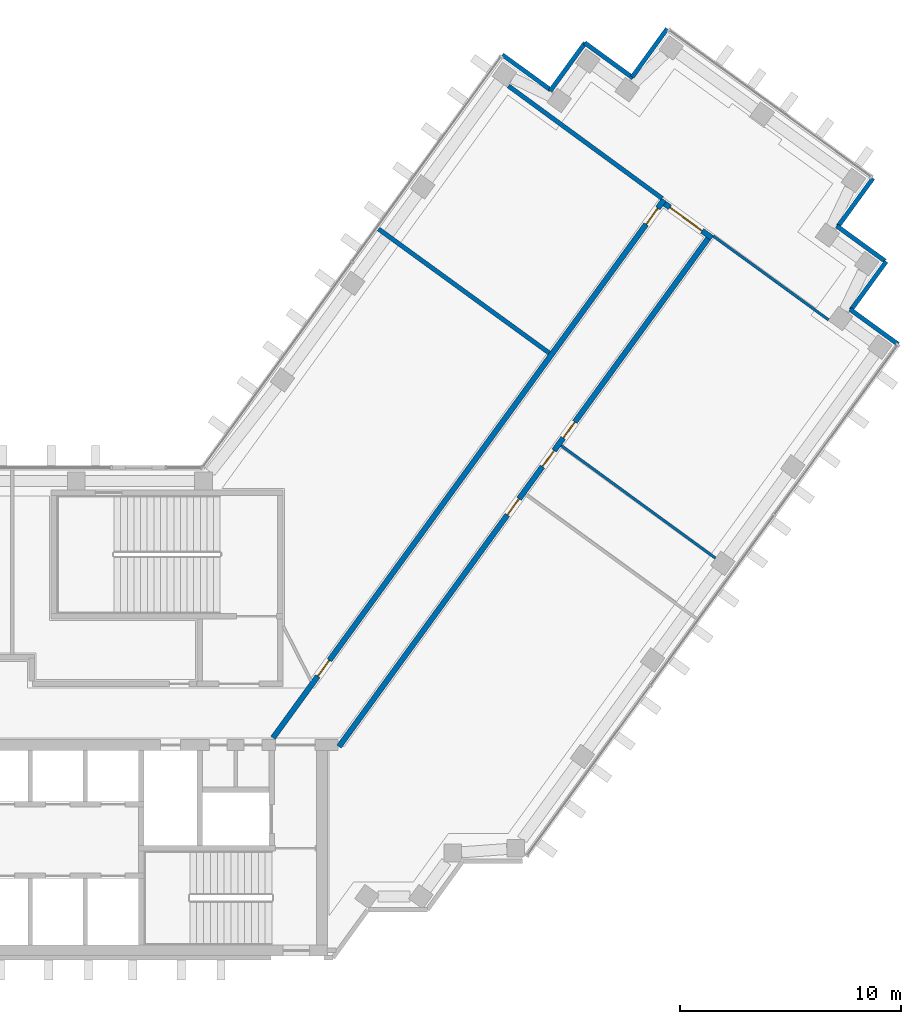
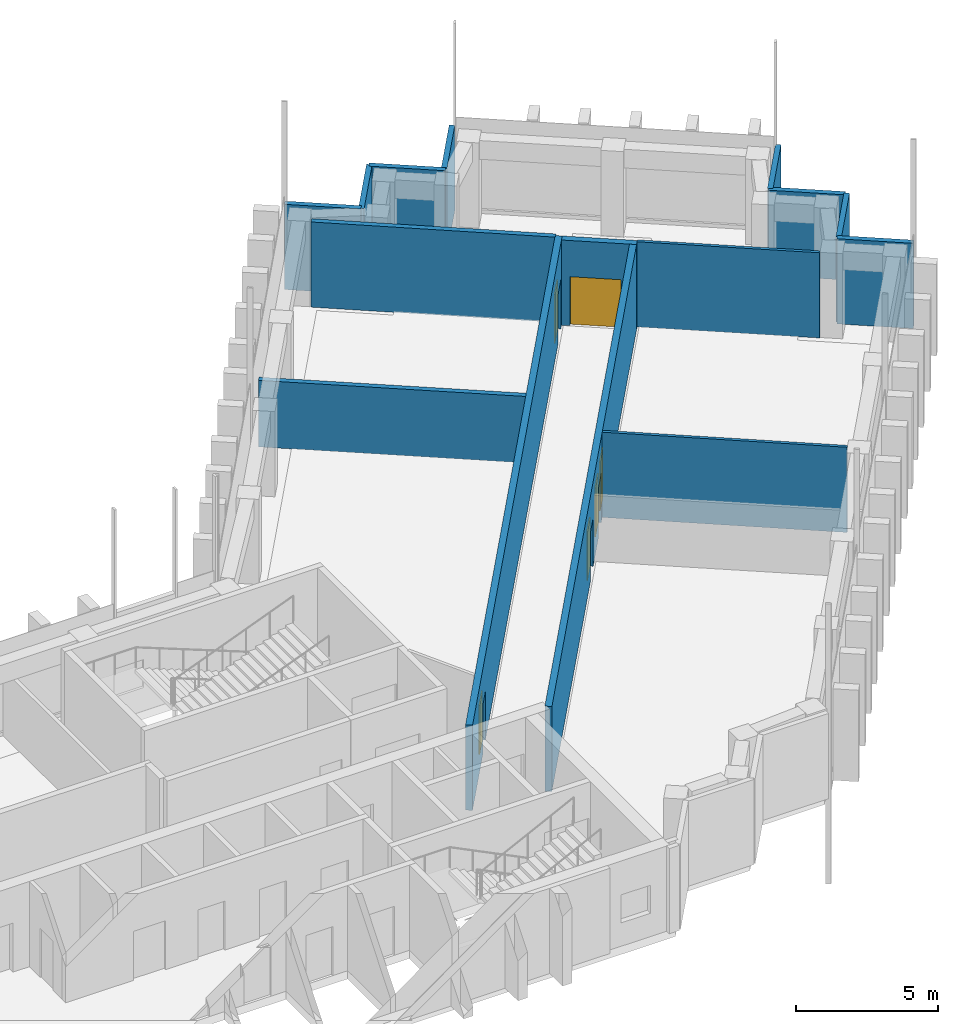
# One storey, part 12 of 15: 15 walls, 6 doors, 6 openings.
"""IFC4 building model written with IfcOpenShell, lengths in metres."""

import ifcopenshell
import ifcopenshell.guid

model = None  # the IFC model being written
_history = None  # IfcOwnerHistory: only IFC2X3 demands one
_inside = {}  # id of a spatial element -> (the spatial element, [elements in it])
_under = {}  # id of a project, library or spatial element -> (it, [spatial elements below it])
_declared = {}  # id of a project -> (the project, [libraries it declares])
_typed = {}  # id of a type object -> (the type object, [elements of that type])
_made_of = {}  # id of a material, layer set ... -> (it, [elements and type objects made of it])


def new_model(schema):
    """Start an empty IFC model of exactly this schema.

    Asked for "IFC4X3", IfcOpenShell would pick the latest addendum, in which some entities
    have other attributes; the version numbers below select the first issue.
    IFC2X3 requires an IfcOwnerHistory on every rooted entity: one is made here for all.
    """
    global model, _history
    if schema == "IFC4X3":
        model = ifcopenshell.file(schema_version=(4, 3, 0, 0))
    else:
        model = ifcopenshell.file(schema=schema)
    _inside.clear()
    _under.clear()
    _declared.clear()
    _typed.clear()
    _made_of.clear()
    _history = None
    if model.schema == "IFC2X3":
        org = make("IfcOrganization", Name="unknown")
        user = make(
            "IfcPersonAndOrganization",
            ThePerson=make("IfcPerson", FamilyName="unknown"),
            TheOrganization=org,
        )
        app = make(
            "IfcApplication",
            ApplicationDeveloper=org,
            Version="unknown",
            ApplicationFullName="unknown",
            ApplicationIdentifier="unknown",
        )
        _history = make(
            "IfcOwnerHistory",
            OwningUser=user,
            OwningApplication=app,
            ChangeAction="ADDED",
            CreationDate=0,
        )
    return model


def make(cls, **values):
    """One entity of the class cls with the attributes given. An attribute that is None is left unset."""
    return model.create_entity(
        cls, **{name: value for name, value in values.items() if value is not None}
    )


def rooted(cls, **values):
    """An entity with a GlobalId (a new one), such as an element, a storey or a relation."""
    return make(cls, GlobalId=ifcopenshell.guid.new(), OwnerHistory=_history, **values)


def si_unit(unit_type, name, prefix=None):
    """IfcSIUnit, for example si_unit("LENGTHUNIT", "METRE", prefix="MILLI")."""
    return make("IfcSIUnit", UnitType=unit_type, Prefix=prefix, Name=name)


def assignment(units):
    """IfcUnitAssignment: the units of a project."""
    return None if units is None else make("IfcUnitAssignment", Units=units)


def point(xyz):
    """IfcCartesianPoint."""
    return None if xyz is None else make("IfcCartesianPoint", Coordinates=xyz)


def direction(xyz):
    """IfcDirection."""
    return None if xyz is None else make("IfcDirection", DirectionRatios=xyz)


def frame(location, z_axis=None, x_axis=None):
    """IfcAxis2Placement3D, a coordinate frame: its origin and axes. An axis left out is left unset."""
    return make(
        "IfcAxis2Placement3D",
        Location=point(location),
        Axis=direction(z_axis),
        RefDirection=direction(x_axis),
    )


def frame_2d(location, x_axis=None):
    """IfcAxis2Placement2D, a coordinate frame in the plane: its origin and x axis."""
    return make(
        "IfcAxis2Placement2D", Location=point(location), RefDirection=direction(x_axis)
    )


def origin():
    """The frame at (0, 0, 0) with its axes left unset."""
    return frame((0.0, 0.0, 0.0))


def place(relative_to, where):
    """IfcLocalPlacement: puts the frame where relative to a parent placement (None: the world)."""
    return make(
        "IfcLocalPlacement", PlacementRelTo=relative_to, RelativePlacement=where
    )


def context(
    kind, dimensions, precision=None, world=None, true_north=None, identifier=None
):
    """IfcGeometricRepresentationContext, for example the 3D "Model" context."""
    return make(
        "IfcGeometricRepresentationContext",
        ContextIdentifier=identifier,
        ContextType=kind,
        CoordinateSpaceDimension=dimensions,
        Precision=precision,
        WorldCoordinateSystem=world,
        TrueNorth=true_north,
    )


def subcontext(parent, identifier, kind, view, scale=None):
    """IfcGeometricRepresentationSubContext, for example "Body" below "Model"."""
    return make(
        "IfcGeometricRepresentationSubContext",
        ContextIdentifier=identifier,
        ContextType=kind,
        ParentContext=parent,
        TargetScale=scale,
        TargetView=view,
    )


def project(units=None, contexts=None):
    """IfcProject with its units and contexts."""
    return rooted(
        "IfcProject",
        Name="project",
        RepresentationContexts=contexts,
        UnitsInContext=assignment(units),
    )


def spatial(cls, under=None, at=None, **own):
    """A site, building, storey or space (cls), placed at a placement, below another one or the project."""
    s = rooted(cls, ObjectPlacement=at, **own)
    if under is not None:
        _under.setdefault(under.id(), (under, []))[1].append(s)
    return s


def profile(cls, at=None, kind="AREA", **sizes):
    """A parametric profile (cls). Its sizes go by their IFC names, for example OverallWidth=200.0."""
    return make(cls, ProfileType=kind, Position=at, **sizes)


def rectangle(**sizes):
    """IfcRectangleProfileDef."""
    return profile("IfcRectangleProfileDef", **sizes)


def extrude(swept, where, along, depth):
    """IfcExtrudedAreaSolid: the profile swept, set in the frame where, extruded along a direction by depth."""
    return make(
        "IfcExtrudedAreaSolid",
        SweptArea=swept,
        Position=where,
        ExtrudedDirection=direction(along),
        Depth=depth,
    )


def shape(context_of_items, identifier, shape_type, items):
    """IfcShapeRepresentation: the items that make up one representation, for example the "Body"."""
    return make(
        "IfcShapeRepresentation",
        ContextOfItems=context_of_items,
        RepresentationIdentifier=identifier,
        RepresentationType=shape_type,
        Items=items,
    )


def material(Name=None, Category=None):
    """IfcMaterial."""
    return make("IfcMaterial", Name=Name, Category=Category)


def layer(
    of_material, thickness, ventilated=None, Name=None, Category=None, Priority=None
):
    """IfcMaterialLayer: one layer of a wall or slab, of a material (None: an air gap)."""
    return make(
        "IfcMaterialLayer",
        Material=of_material,
        LayerThickness=thickness,
        IsVentilated=ventilated,
        Name=Name,
        Category=Category,
        Priority=Priority,
    )


def layer_set(layers, Name=None):
    """IfcMaterialLayerSet."""
    return make("IfcMaterialLayerSet", MaterialLayers=layers, LayerSetName=Name)


def made_of(thing, what):
    """Note that an element or type object is made of a material, layer set ...; save() writes the relation."""
    if what is not None:
        _made_of.setdefault(what.id(), (what, []))[1].append(thing)
    return thing


def type_object(cls, material=None, **own):
    """A type object (cls), such as IfcWallType, which elements share."""
    return made_of(rooted(cls, **own), material)


def element(
    cls,
    number,
    at=None,
    inside=None,
    cuts=None,
    type_object=None,
    material=None,
    context=None,
    identifier="Body",
    shape_type=None,
    held_by="IfcProductDefinitionShape",
    body=None,
    shapes=None,
    **own,
):
    """One element of the class cls, such as IfcWall. Its Tag is "e" and its number.

    at: its placement. inside: the storey or other place that contains it. cuts: it is an
    opening in that element (IfcRelVoidsElement). A single representation is given by context,
    identifier, shape_type and body (its items); several are given by shapes. held_by: the class
    of the entity that holds the representations. save() writes the other relations.
    """
    e = rooted(cls, Tag="e%d" % number, ObjectPlacement=at, **own)
    if body is not None:
        shapes = [shape(context, identifier, shape_type, body)]
    if shapes is not None:
        e.Representation = make(held_by, Representations=shapes)
    if inside is not None:
        _inside.setdefault(inside.id(), (inside, []))[1].append(e)
    if cuts is not None:
        rooted(
            "IfcRelVoidsElement", RelatingBuildingElement=cuts, RelatedOpeningElement=e
        )
    if type_object is not None:
        _typed.setdefault(type_object.id(), (type_object, []))[1].append(e)
    return made_of(e, material)


def fill(opening, filler):
    """IfcRelFillsElement: the door or window that sits in an opening."""
    return rooted(
        "IfcRelFillsElement",
        RelatingOpeningElement=opening,
        RelatedBuildingElement=filler,
    )


def aggregate(whole, parts):
    """IfcRelAggregates: a whole, such as a stair, and the parts it consists of."""
    return rooted("IfcRelAggregates", RelatingObject=whole, RelatedObjects=parts)


def save(model, path):
    """Write the relations noted so far, then the file.

    IfcRelAggregates (storeys below a building ...), IfcRelContainedInSpatialStructure (elements
    in a storey), IfcRelDefinesByType, IfcRelAssociatesMaterial and IfcRelDeclares: one each for
    every whole, place, type object, material and project.
    """
    for whole, parts in _under.values():
        aggregate(whole, parts)
    for where, things in _inside.values():
        rooted(
            "IfcRelContainedInSpatialStructure",
            RelatedElements=things,
            RelatingStructure=where,
        )
    for kind, things in _typed.values():
        rooted("IfcRelDefinesByType", RelatedObjects=things, RelatingType=kind)
    for what, things in _made_of.values():
        rooted("IfcRelAssociatesMaterial", RelatedObjects=things, RelatingMaterial=what)
    for by, libraries in _declared.values():
        rooted("IfcRelDeclares", RelatingContext=by, RelatedDefinitions=libraries)
    model.write(path)


model = new_model("IFC4")

# Units and contexts
model_context = context("Model", 3, precision=1e-05, world=origin(), true_north=direction((0.0, 1.0)))
body_context = subcontext(model_context, "Body", "Model", "MODEL_VIEW")
ifc_project = project(units=[si_unit("LENGTHUNIT", "METRE"), si_unit("AREAUNIT", "SQUARE_METRE"), si_unit("VOLUMEUNIT", "CUBIC_METRE"), si_unit("PLANEANGLEUNIT", "RADIAN"), si_unit("MASSUNIT", "GRAM", prefix="KILO")], contexts=[model_context])

# Site, building, storey
site_placement = place(None, origin())
site = spatial("IfcSite", under=ifc_project, at=site_placement, CompositionType="ELEMENT")
building_placement = place(site_placement, origin())
building = spatial("IfcBuilding", under=site, at=building_placement, Name="Quipu Civic Tower", CompositionType="ELEMENT")
storey_placement = place(building_placement, frame((0.0, 0.0, 160.0)))
storey = spatial("IfcBuildingStorey", under=building, at=storey_placement, Name="L37", CompositionType="ELEMENT", Elevation=160.0)

# Walls
ifc_material_1 = material(Name="Fired clay blockwork", Category="masonry")
ifc_layer_1 = layer(ifc_material_1, 0.199951171875)
ifc_layer_set_1 = layer_set([ifc_layer_1], Name="Fired clay blockwork")
wall_type_1 = type_object("IfcWallType", Name="Blockwork wall 200", PredefinedType="SOLIDWALL", material=ifc_layer_set_1)
wall_1_placement = place(storey_placement, frame((30.044189453125, 16.291748046875, 0.0), z_axis=(0.0, 0.0, 1.0), x_axis=(-0.80898585166, 0.587828114175, 0.0)))
element("IfcWall", 1, at=wall_1_placement, inside=storey, type_object=wall_type_1, Name="Partition P01", PredefinedType="SOLIDWALL", context=body_context, shape_type="SweptSolid", body=[
    extrude(rectangle(XDim=9.550048828125, YDim=0.199951171875, at=frame_2d((4.77490234375, 0.0))), origin(), (0.0, 0.0, 1.0), 2.85009765625),
])
wall_2_placement = place(storey_placement, frame((28.197998046875, 28.38134765625, 0.0), z_axis=(0.0, 0.0, 1.0), x_axis=(0.806977317905, -0.590582431492, 0.0)))
element("IfcWall", 2, at=wall_2_placement, inside=storey, type_object=wall_type_1, Name="Partition P08", PredefinedType="SOLIDWALL", context=body_context, shape_type="SweptSolid", body=[
    extrude(rectangle(XDim=8.61962890625, YDim=0.199951171875, at=frame_2d((4.309814453125, 0.0))), origin(), (0.0, 0.0, 1.0), 3.64990234375),
])

# Wall, openings, doors
ifc_material_2 = material(Name="Concrete C50/60", Category="concrete")
ifc_layer_2 = layer(ifc_material_2, 0.25)
ifc_layer_set_2 = layer_set([ifc_layer_2], Name="Concrete C50/60")
wall_type_2 = type_object("IfcWallType", Name="Corridor wall 250 concrete", PredefinedType="SOLIDWALL", material=ifc_layer_set_2)
wall_3_placement = place(storey_placement, frame((17.544921875, -1.124755859375, 0.0), z_axis=(0.0, 0.0, 1.0), x_axis=(0.587786330937, 0.809016210693, 0.0)))
wall_3 = element("IfcWall", 3, at=wall_3_placement, inside=storey, type_object=wall_type_2, Name="Corridor wall C02", PredefinedType="SOLIDWALL", context=body_context, shape_type="SweptSolid", body=[
    extrude(rectangle(XDim=30.10302734375, YDim=0.25, at=frame_2d((15.051513671875, 0.0))), origin(), (0.0, 0.0, 1.0), 3.64990234375),
])
opening_1_placement = place(wall_3_placement, frame((3.44140625, 0.0, 0.0)))
opening_1 = element("IfcOpeningElement", 4, at=opening_1_placement, cuts=wall_3, Name="Opening D001", PredefinedType="OPENING", context=body_context, shape_type="SweptSolid", body=[
    extrude(rectangle(XDim=0.89990234375, YDim=2.10009765625, at=frame_2d((0.449951171875, 1.050048828125))), frame((0.0, 0.135009765625, 0.0), z_axis=(0.0, -1.0, 0.0), x_axis=(1.0, 0.0, 0.0)), (0.0, 0.0, 1.0), 0.27001953125),
])
opening_2_placement = place(wall_3_placement, frame((28.72900390625, 0.0, 0.0)))
opening_2 = element("IfcOpeningElement", 5, at=opening_2_placement, cuts=wall_3, Name="Opening D002", PredefinedType="OPENING", context=body_context, shape_type="SweptSolid", body=[
    extrude(rectangle(XDim=0.89990234375, YDim=2.10009765625, at=frame_2d((0.449951171875, 1.050048828125))), frame((0.0, 0.135009765625, 0.0), z_axis=(0.0, -1.0, 0.0), x_axis=(1.0, 0.0, 0.0)), (0.0, 0.0, 1.0), 0.27001953125),
])
ifc_material_3 = material(Name="Fire rated timber door set with metal frame", Category="wood")
door_type_1 = type_object("IfcDoorType", Name="Single door 900 x 2100 FD60", OperationType="NOTDEFINED", PredefinedType="DOOR", material=ifc_material_3)
door_1_placement = place(opening_1_placement, origin())
door_1 = element("IfcDoor", 6, at=door_1_placement, inside=storey, type_object=door_type_1, Name="Door D001", OperationType="SINGLE_SWING_LEFT", OverallHeight=2.10009765625, OverallWidth=0.89990234375, PredefinedType="DOOR", context=body_context, shape_type="SweptSolid", body=[
    extrude(rectangle(XDim=0.89990234375, YDim=2.10009765625, at=frame_2d((0.449951171875, 1.050048828125))), frame((0.0, 0.02490234375, 0.0), z_axis=(0.0, -1.0, 0.0), x_axis=(1.0, 0.0, 0.0)), (0.0, 0.0, 1.0), 0.050048828125),
])
fill(opening_1, door_1)
door_2_placement = place(opening_2_placement, origin())
door_2 = element("IfcDoor", 7, at=door_2_placement, inside=storey, type_object=door_type_1, Name="Door D002", OperationType="SINGLE_SWING_RIGHT", OverallHeight=2.10009765625, OverallWidth=0.89990234375, PredefinedType="DOOR", context=body_context, shape_type="SweptSolid", body=[
    extrude(rectangle(XDim=0.89990234375, YDim=2.10009765625, at=frame_2d((0.449951171875, 1.050048828125))), frame((0.0, 0.02490234375, 0.0), z_axis=(0.0, -1.0, 0.0), x_axis=(1.0, 0.0, 0.0)), (0.0, 0.0, 1.0), 0.050048828125),
])
fill(opening_2, door_2)

# Wall, opening, door
wall_4_placement = place(storey_placement, frame((35.2666015625, 23.054443359375, 0.0), z_axis=(0.0, 0.0, 1.0), x_axis=(0.809038743598, -0.587755315891, 0.0)))
wall_4 = element("IfcWall", 8, at=wall_4_placement, inside=storey, type_object=wall_type_2, Name="Corridor wall C03", PredefinedType="SOLIDWALL", context=body_context, shape_type="SweptSolid", body=[
    extrude(rectangle(XDim=2.650146484375, YDim=0.25, at=frame_2d((1.3251953125, 0.0))), origin(), (0.0, 0.0, 1.0), 3.64990234375),
])
opening_3_placement = place(wall_4_placement, frame((0.300048828125, 0.0, 0.0)))
opening_3 = element("IfcOpeningElement", 9, at=opening_3_placement, cuts=wall_4, Name="Opening D006", PredefinedType="OPENING", context=body_context, shape_type="SweptSolid", body=[
    extrude(rectangle(XDim=1.800048828125, YDim=2.10009765625, at=frame_2d((0.89990234375, 1.050048828125))), frame((0.0, 0.135009765625, 0.0), z_axis=(0.0, -1.0, 0.0), x_axis=(1.0, 0.0, 0.0)), (0.0, 0.0, 1.0), 0.27001953125),
])
ifc_material_4 = material(Name="Fire rated timber door set with metal frame", Category="wood")
door_type_2 = type_object("IfcDoorType", Name="Double door 1800 x 2100 FD60", OperationType="DOUBLE_DOOR_SINGLE_SWING", PredefinedType="DOOR", material=ifc_material_4)
door_3_placement = place(opening_3_placement, origin())
door_3 = element("IfcDoor", 10, at=door_3_placement, inside=storey, type_object=door_type_2, Name="Door D006", OperationType="DOUBLE_DOOR_SINGLE_SWING", OverallHeight=2.10009765625, OverallWidth=1.800048828125, PredefinedType="DOOR", context=body_context, shape_type="SweptSolid", body=[
    extrude(rectangle(XDim=1.800048828125, YDim=2.10009765625, at=frame_2d((0.89990234375, 1.050048828125))), frame((0.0, 0.02490234375, 0.0), z_axis=(0.0, -1.0, 0.0), x_axis=(1.0, 0.0, 0.0)), (0.0, 0.0, 1.0), 0.050048828125),
])
fill(opening_3, door_3)

# Wall, openings, doors
wall_5_placement = place(storey_placement, frame((37.236083984375, 21.46923828125, 0.0), z_axis=(0.0, 0.0, 1.0), x_axis=(-0.58778344073, -0.809018310549, 0.0)))
wall_5 = element("IfcWall", 11, at=wall_5_placement, inside=storey, type_object=wall_type_2, Name="Corridor wall C04", PredefinedType="SOLIDWALL", context=body_context, shape_type="SweptSolid", body=[
    extrude(rectangle(XDim=28.42041015625, YDim=0.25, at=frame_2d((14.210205078125, 0.0))), origin(), (0.0, 0.0, 1.0), 3.64990234375),
])
opening_4_placement = place(wall_5_placement, frame((14.55419921875, 0.0, 0.0)))
opening_4 = element("IfcOpeningElement", 12, at=opening_4_placement, cuts=wall_5, Name="Opening D003", PredefinedType="OPENING", context=body_context, shape_type="SweptSolid", body=[
    extrude(rectangle(XDim=0.89990234375, YDim=2.10009765625, at=frame_2d((0.449951171875, 1.050048828125))), frame((0.0, 0.135009765625, 0.0), z_axis=(0.0, -1.0, 0.0), x_axis=(1.0, 0.0, 0.0)), (0.0, 0.0, 1.0), 0.27001953125),
])
opening_5_placement = place(wall_5_placement, frame((10.255126953125, 0.0, 0.0)))
opening_5 = element("IfcOpeningElement", 13, at=opening_5_placement, cuts=wall_5, Name="Opening D005", PredefinedType="OPENING", context=body_context, shape_type="SweptSolid", body=[
    extrude(rectangle(XDim=0.89990234375, YDim=2.10009765625, at=frame_2d((0.449951171875, 1.050048828125))), frame((0.0, 0.135009765625, 0.0), z_axis=(0.0, -1.0, 0.0), x_axis=(1.0, 0.0, 0.0)), (0.0, 0.0, 1.0), 0.27001953125),
])
opening_6_placement = place(wall_5_placement, frame((11.8544921875, 0.0, 0.0)))
opening_6 = element("IfcOpeningElement", 14, at=opening_6_placement, cuts=wall_5, Name="Opening D004", PredefinedType="OPENING", context=body_context, shape_type="SweptSolid", body=[
    extrude(rectangle(XDim=0.89990234375, YDim=2.10009765625, at=frame_2d((0.449951171875, 1.050048828125))), frame((0.0, 0.135009765625, 0.0), z_axis=(0.0, -1.0, 0.0), x_axis=(1.0, 0.0, 0.0)), (0.0, 0.0, 1.0), 0.27001953125),
])
door_4_placement = place(opening_4_placement, origin())
door_4 = element("IfcDoor", 15, at=door_4_placement, inside=storey, type_object=door_type_1, Name="Door D003", OperationType="SINGLE_SWING_LEFT", OverallHeight=2.10009765625, OverallWidth=0.89990234375, PredefinedType="DOOR", context=body_context, shape_type="SweptSolid", body=[
    extrude(rectangle(XDim=0.89990234375, YDim=2.10009765625, at=frame_2d((0.449951171875, 1.050048828125))), frame((0.0, 0.02490234375, 0.0), z_axis=(0.0, -1.0, 0.0), x_axis=(1.0, 0.0, 0.0)), (0.0, 0.0, 1.0), 0.050048828125),
])
fill(opening_4, door_4)
door_5_placement = place(opening_5_placement, origin())
door_5 = element("IfcDoor", 16, at=door_5_placement, inside=storey, type_object=door_type_1, Name="Door D005", OperationType="SINGLE_SWING_RIGHT", OverallHeight=2.10009765625, OverallWidth=0.89990234375, PredefinedType="DOOR", context=body_context, shape_type="SweptSolid", body=[
    extrude(rectangle(XDim=0.89990234375, YDim=2.10009765625, at=frame_2d((0.449951171875, 1.050048828125))), frame((0.0, 0.02490234375, 0.0), z_axis=(0.0, -1.0, 0.0), x_axis=(1.0, 0.0, 0.0)), (0.0, 0.0, 1.0), 0.050048828125),
])
fill(opening_5, door_5)
door_6_placement = place(opening_6_placement, origin())
door_6 = element("IfcDoor", 17, at=door_6_placement, inside=storey, type_object=door_type_1, Name="Door D004", OperationType="SINGLE_SWING_LEFT", OverallHeight=2.10009765625, OverallWidth=0.89990234375, PredefinedType="DOOR", context=body_context, shape_type="SweptSolid", body=[
    extrude(rectangle(XDim=0.89990234375, YDim=2.10009765625, at=frame_2d((0.449951171875, 1.050048828125))), frame((0.0, 0.02490234375, 0.0), z_axis=(0.0, -1.0, 0.0), x_axis=(1.0, 0.0, 0.0)), (0.0, 0.0, 1.0), 0.050048828125),
])
fill(opening_6, door_6)

# Walls
ifc_material_5 = material(Name="Gypsum plasterboard on light gauge framing")
ifc_layer_3 = layer(ifc_material_5, 0.1201171875)
ifc_layer_set_3 = layer_set([ifc_layer_3], Name="Gypsum plasterboard on light gauge framing")
wall_type_3 = type_object("IfcWallType", Name="Partition 120 plasterboard", PredefinedType="PARTITIONING", material=ifc_layer_set_3)
wall_6_placement = place(storey_placement, frame((42.68603515625, 17.793701171875, 0.0), z_axis=(0.0, 0.0, 1.0), x_axis=(-0.809017755079, 0.587784205272, 0.0)))
element("IfcWall", 18, at=wall_6_placement, inside=storey, type_object=wall_type_3, Name="Partition P03", PredefinedType="PARTITIONING", context=body_context, shape_type="SweptSolid", body=[
    extrude(rectangle(XDim=6.444580078125, YDim=0.1201171875, at=frame_2d((3.22216796875, 0.0))), origin(), (0.0, 0.0, 1.0), 3.64990234375),
])
wall_7_placement = place(storey_placement, frame((30.5869140625, 12.104248046875, 0.0), z_axis=(0.0, 0.0, 1.0), x_axis=(0.807584089733, -0.589752437902, 0.0)))
element("IfcWall", 19, at=wall_7_placement, inside=storey, type_object=wall_type_3, Name="Partition P04", PredefinedType="PARTITIONING", context=body_context, shape_type="SweptSolid", body=[
    extrude(rectangle(XDim=8.64453125, YDim=0.1201171875, at=frame_2d((4.322265625, 0.0))), origin(), (0.0, 0.0, 1.0), 3.64990234375),
])
ifc_material_6 = material(Name="Precast concrete C40/50", Category="concrete")
wall_type_4 = type_object("IfcWallType", Name="Precast cladding wall", PredefinedType="SOLIDWALL", material=ifc_material_6)
for number, where, z_axis, x_axis, name in (
    (20, (45.84228515625, 16.6845703125, 0.0), (0.0, 0.0, 1.0), (-0.808958916286, 0.58786518162, 0.0), "Precast cladding wall L37 P24"),
    (21, (43.70947265625, 18.249267578125, 0.0), (0.0, 0.0, 1.0), (0.587762999008, 0.809033161865, 0.0), "Precast cladding wall L37 P25"),
    (22, (45.2451171875, 20.4560546875, 0.0), (0.0, 0.0, 1.0), (-0.809033161865, 0.587762999008, 0.0), "Precast cladding wall L37 P26"),
    (23, (43.112548828125, 22.020263671875, 0.0), (0.0, 0.0, 1.0), (0.587762999008, 0.809033161865, 0.0), "Precast cladding wall L37 P27"),
    (24, (35.3876953125, 30.97021484375, 0.0), (0.0, 0.0, 1.0), (-0.587762999008, -0.809033161865, 0.0), "Precast cladding wall L37 P29"),
    (25, (33.837890625, 28.743896484375, 0.0), (0.0, 0.0, 1.0), (-0.809033161865, 0.587762999008, 0.0), "Precast cladding wall L37 P30"),
    (26, (31.67041015625, 30.33349609375, 0.0), (0.0, 0.0, 1.0), (-0.587762999008, -0.809033161865, 0.0), "Precast cladding wall L37 P31"),
    (27, (30.105712890625, 28.2001953125, 0.0), (0.0, 0.0, 1.0), (-0.809033161865, 0.587762999008, 0.0), "Precast cladding wall L37 P32"),
):
    element("IfcWall", number, at=place(storey_placement, frame(where, z_axis=z_axis, x_axis=x_axis)), inside=storey, type_object=wall_type_4, Name=name, PredefinedType="SOLIDWALL", context=body_context, shape_type="SweptSolid", body=[
        extrude(rectangle(XDim=2.699951171875, YDim=0.199951171875, at=frame_2d((1.35009765625, 0.0))), origin(), (0.0, 0.0, 1.0), 3.64990234375),
    ])

save(model, "model.ifc")
